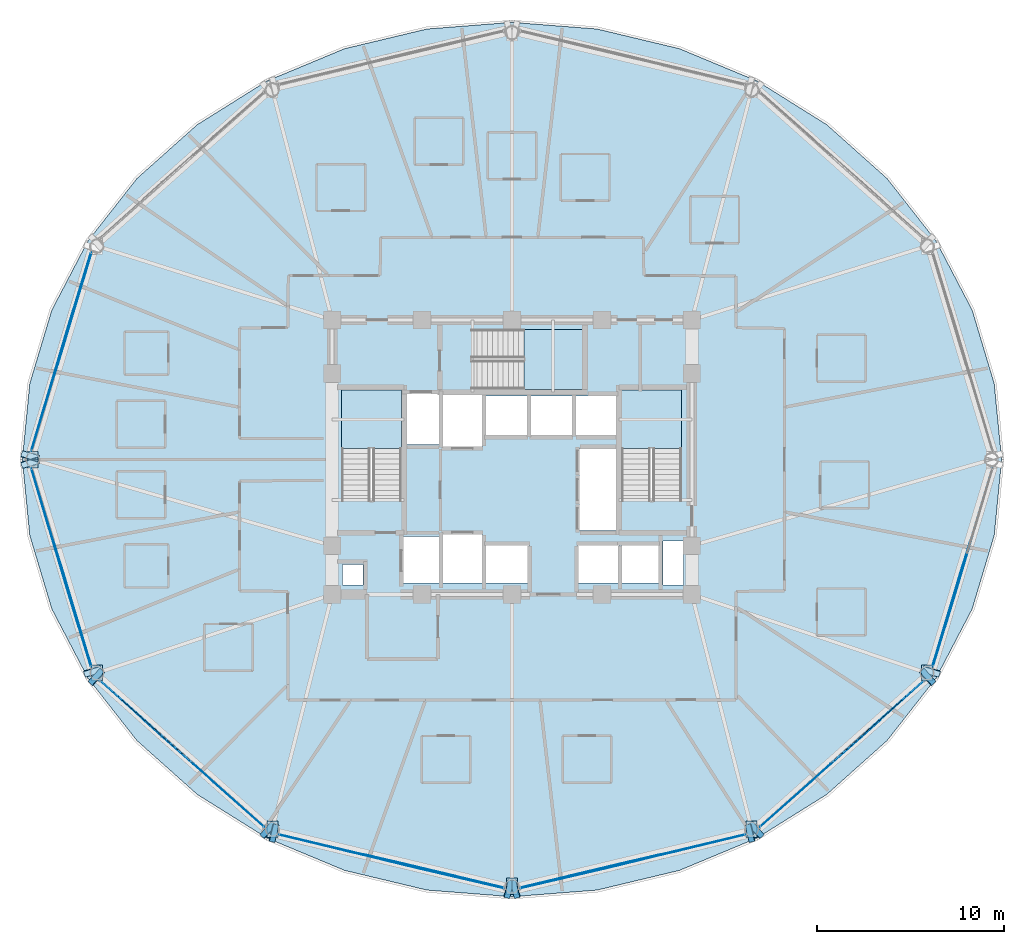
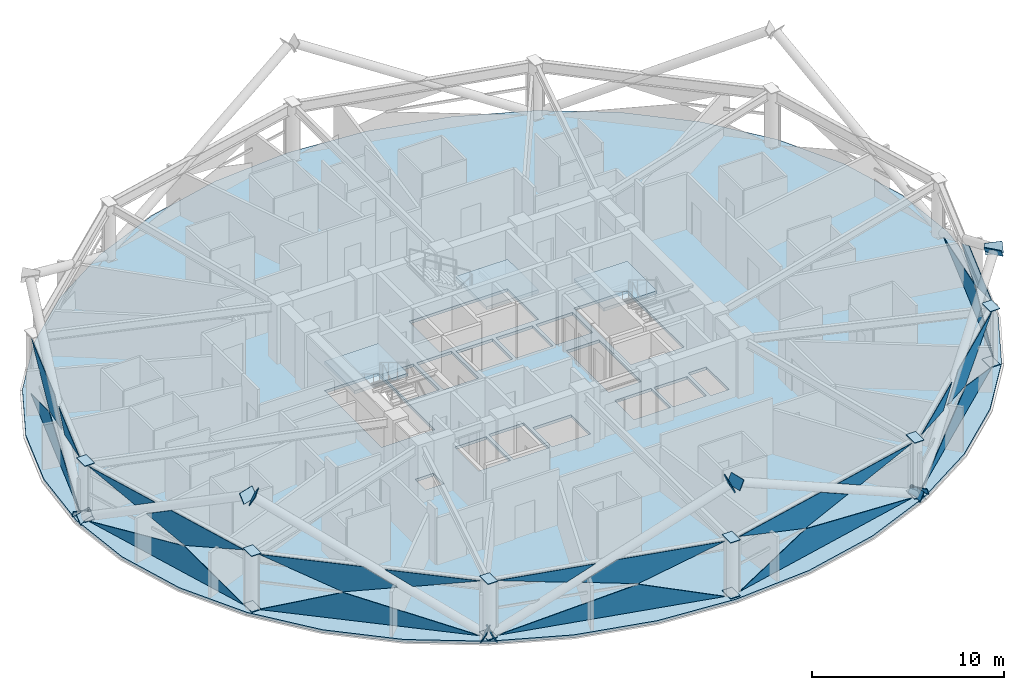
# One storey, part 22 of 32: 44 plates, 4 slabs, 10 elements without a shape of their own.
"""IFC4 building model written with IfcOpenShell, lengths in metres."""

from ifc_helpers import new_model, si_unit, direction, frame, origin, place, context, subcontext, project, spatial, polyline, outline, extrude, material, layer, layer_set, type_object, element, aggregate, save


model = new_model("IFC4")

# Units and contexts
model_context = context("Model", 3, precision=1e-05, world=origin(), true_north=direction((0.0, 1.0)))
body_context = subcontext(model_context, "Body", "Model", "MODEL_VIEW")
ifc_project = project(units=[si_unit("LENGTHUNIT", "METRE"), si_unit("AREAUNIT", "SQUARE_METRE"), si_unit("VOLUMEUNIT", "CUBIC_METRE"), si_unit("PLANEANGLEUNIT", "RADIAN"), si_unit("MASSUNIT", "GRAM", prefix="KILO")], contexts=[model_context])

# Site, building, storey
site_placement = place(None, origin())
site = spatial("IfcSite", under=ifc_project, at=site_placement, CompositionType="ELEMENT")
building_placement = place(site_placement, origin())
building = spatial("IfcBuilding", under=site, at=building_placement, Name="Vantalir Tower", CompositionType="ELEMENT")
storey_placement = place(building_placement, frame((0.0, 0.0, 104.699951171875)))
storey = spatial("IfcBuildingStorey", under=building, at=storey_placement, Name="L25", CompositionType="ELEMENT", Elevation=104.699951171875)

# Curtain wall, plates
ifc_material_1 = material(Name="Champagne-silver PVDF aluminium and double-silver Low-E glass", Category="aluminium")
ifc_layer_1 = layer(ifc_material_1, 0.199951171875)
ifc_layer_set_1 = layer_set([ifc_layer_1], Name="Champagne-silver PVDF aluminium and double-silver Low-E glass")
curtain_wall_type = type_object("IfcCurtainWallType", Name="CW-DIAMOND-Z2", PredefinedType="USERDEFINED", material=ifc_layer_set_1)
curtain_wall_1_placement = place(storey_placement, origin())
curtain_wall_1 = element("IfcCurtainWall", 1, at=curtain_wall_1_placement, inside=storey, type_object=curtain_wall_type, Name="L25 Quilted Pyramid-Diamond Curtain Wall S06", ObjectType="UNITISED CURTAIN WALL", PredefinedType="USERDEFINED")
ifc_material_2 = material(Name="Double-silver Low-E laminated glass IGU", Category="glass")
ifc_layer_2 = layer(ifc_material_2, 0.028076171875)
ifc_layer_set_2 = layer_set([ifc_layer_2], Name="Double-silver Low-E laminated glass IGU")
plate_type_1 = type_object("IfcPlateType", Name="CWP-IGU-28", PredefinedType="CURTAIN_PANEL", material=ifc_layer_set_2)
plate_1_placement = place(storey_placement, frame((9.044921875, 36.053466796875, 0.046630859375), z_axis=(0.957572069802, -0.287866428503, 0.013735009114), x_axis=(-0.287893295674, -0.957662492646, -2.2020292e-05)))
plate_1 = element("IfcPlate", 2, at=plate_1_placement, type_object=plate_type_1, Name="CW-L25-S06 Pyramid Diamond Facet 1L", PredefinedType="CURTAIN_PANEL", context=body_context, shape_type="SweptSolid", body=[
    extrude(outline(polyline([(0.0, 0.0), (11.087074896201033, -7.508100044462118e-18), (4.218854867181991, -1.7268182910625938), (0.0, 0.0)])), origin(), (0.0, 0.0, -1.0), 0.028076171875),
])
plate_2_placement = place(storey_placement, frame((9.044921875, 36.053466796875, 3.5234375), z_axis=(-0.957575443257, 0.287853566975, 0.013769330091), x_axis=(-0.287880858464, -0.957666231696, 8.465e-09)))
plate_2 = element("IfcPlate", 3, at=plate_2_placement, type_object=plate_type_1, Name="CW-L25-S06 Pyramid Diamond Facet 2U", PredefinedType="CURTAIN_PANEL", context=body_context, shape_type="SweptSolid", body=[
    extrude(outline(polyline([(0.0, 0.0), (5.216435935880668, 3.469446951953614e-18), (6.956573188140078, -1.0384285818292187), (4.218892564617168, -1.726726188166843), (0.0, 0.0)])), origin(), (0.0, 0.0, -1.0), 0.028076171875),
])
plate_3_placement = place(storey_placement, frame((7.1923828125, 30.001953125, 3.52392578125), z_axis=(-0.957562591096, 0.287894635232, 0.013804460789), x_axis=(-0.287922070205, -0.957653842204, 0.0)))
plate_3 = element("IfcPlate", 4, at=plate_3_placement, type_object=plate_type_1, Name="CW-L25-S06 Pyramid Diamond Facet 2U Infill Light", PredefinedType="CURTAIN_PANEL", context=body_context, shape_type="SweptSolid", body=[
    extrude(outline(polyline([(0.0, 0.0), (4.758638983539541, 3.469446951953614e-18), (1.4104859309342017, -0.8416329303017664), (0.0, 0.0)])), origin(), (0.0, 0.0, -1.0), 0.028076171875),
])
aggregate(curtain_wall_1, [plate_1, plate_2, plate_3])

curtain_wall_2_placement = place(storey_placement, origin())
curtain_wall_2 = element("IfcCurtainWall", 5, at=curtain_wall_2_placement, inside=storey, type_object=curtain_wall_type, Name="L25 Quilted Pyramid-Diamond Curtain Wall S07", ObjectType="UNITISED CURTAIN WALL", PredefinedType="USERDEFINED")
plate_4_placement = place(storey_placement, frame((5.85302734375, 24.564208984375, 0.04638671875), z_axis=(0.957572069802, 0.287866428503, 0.013735009114), x_axis=(0.287893295674, -0.957662492646, 2.2020292e-05)))
plate_4 = element("IfcPlate", 6, at=plate_4_placement, type_object=plate_type_1, Name="CW-L25-S07 Pyramid Diamond Facet 1L", PredefinedType="CURTAIN_PANEL", context=body_context, shape_type="SweptSolid", body=[
    extrude(outline(polyline([(0.0, 0.0), (11.087074896201033, 7.508100044462118e-18), (6.8682200290190405, -1.7268182910625938), (0.0, 0.0)])), origin(), (0.0, 0.0, -1.0), 0.028076171875),
])
plate_5_placement = place(storey_placement, frame((7.543212890625, 18.942138671875, 3.5234375), z_axis=(-0.957575443257, -0.287853566975, 0.013769330091), x_axis=(0.287880858464, -0.957666231696, -8.465e-09)))
plate_5 = element("IfcPlate", 7, at=plate_5_placement, type_object=plate_type_1, Name="CW-L25-S07 Pyramid Diamond Facet 2U", PredefinedType="CURTAIN_PANEL", context=body_context, shape_type="SweptSolid", body=[
    extrude(outline(polyline([(0.0, 0.0), (5.216435935880668, -3.469446951953614e-18), (0.9975433712634988, -1.726726188166843), (-1.7401372522594103, -1.0384285818292187), (0.0, 0.0)])), origin(), (0.0, 0.0, -1.0), 0.028076171875),
])
plate_6_placement = place(storey_placement, frame((5.822265625, 24.55517578125, 3.52392578125), z_axis=(-0.957562591096, -0.287894635232, 0.013804460789), x_axis=(0.287922070205, -0.957653842204, 0.0)))
plate_6 = element("IfcPlate", 8, at=plate_6_placement, type_object=plate_type_1, Name="CW-L25-S07 Pyramid Diamond Facet 2U Infill Light", PredefinedType="CURTAIN_PANEL", context=body_context, shape_type="SweptSolid", body=[
    extrude(outline(polyline([(0.0, 0.0), (4.758638983539541, -3.469446951953614e-18), (3.3481530526053396, -0.8416329303017664), (0.0, 0.0)])), origin(), (0.0, 0.0, -1.0), 0.028076171875),
])
aggregate(curtain_wall_2, [plate_4, plate_5, plate_6])

curtain_wall_3_placement = place(storey_placement, origin())
curtain_wall_3 = element("IfcCurtainWall", 9, at=curtain_wall_3_placement, inside=storey, type_object=curtain_wall_type, Name="L25 Quilted Pyramid-Diamond Curtain Wall S08", ObjectType="UNITISED CURTAIN WALL", PredefinedType="USERDEFINED")
plate_7_placement = place(storey_placement, frame((9.515625, 13.208251953125, 0.046630859375), z_axis=(0.665369240134, 0.746388562163, 0.013707244681), x_axis=(0.746458880682, -0.66543154345, -2.0813598e-05)))
plate_7 = element("IfcPlate", 10, at=plate_7_placement, type_object=plate_type_1, Name="CW-L25-S08 Pyramid Diamond Facet 1L", PredefinedType="CURTAIN_PANEL", context=body_context, shape_type="SweptSolid", body=[
    extrude(outline(polyline([(0.0, 0.0), (11.729861619438788, -1.7943545954635098e-17), (4.4590135223658, -1.7270617043016523), (0.0, 0.0)])), origin(), (0.0, 0.0, -1.0), 0.028076171875),
])
plate_8_placement = place(storey_placement, frame((9.515625, 13.208251953125, 3.5234375), z_axis=(-0.665380784811, -0.746379043295, 0.01366509913), x_axis=(0.746449141389, -0.665442467363, 4.4153414e-05)))
plate_8 = element("IfcPlate", 11, at=plate_8_placement, type_object=plate_type_1, Name="CW-L25-S08 Pyramid Diamond Facet 2U", PredefinedType="CURTAIN_PANEL", context=body_context, shape_type="SweptSolid", body=[
    extrude(outline(polyline([(0.0, 0.0), (5.527477233134237, 8.944667923005412e-18), (7.359887983364958, -1.0382637066495168), (4.45897356161791, -1.7271648733868552), (0.0, 0.0)])), origin(), (0.0, 0.0, -1.0), 0.028076171875),
])
plate_9_placement = place(storey_placement, frame((14.483642578125, 8.736572265625, 3.52392578125), z_axis=(-0.665386052483, -0.746375118793, 0.013622892792), x_axis=(0.746444823577, -0.665447310472, 4.8385611e-05)))
plate_9 = element("IfcPlate", 12, at=plate_9_placement, type_object=plate_type_1, Name="CW-L25-S08 Pyramid Diamond Facet 2U Infill Light", PredefinedType="CURTAIN_PANEL", context=body_context, shape_type="SweptSolid", body=[
    extrude(outline(polyline([(0.0, 0.0), (5.0457278326719734, -8.890457814381136e-18), (1.4905383379831172, -0.8443887586698617), (0.0, 0.0)])), origin(), (0.0, 0.0, -1.0), 0.028076171875),
])
aggregate(curtain_wall_3, [plate_7, plate_8, plate_9])

curtain_wall_4_placement = place(storey_placement, origin())
curtain_wall_4 = element("IfcCurtainWall", 13, at=curtain_wall_4_placement, inside=storey, type_object=curtain_wall_type, Name="L25 Quilted Pyramid-Diamond Curtain Wall S09", ObjectType="UNITISED CURTAIN WALL", PredefinedType="USERDEFINED")
plate_10_placement = place(storey_placement, frame((19.053466796875, 4.994384765625, 0.04638671875), z_axis=(0.232255201791, 0.97255746743, 0.013765674256), x_axis=(0.972649563879, -0.23227747522, 1.9781764e-05)))
plate_10 = element("IfcPlate", 14, at=plate_10_placement, type_object=plate_type_1, Name="CW-L25-S09 Pyramid Diamond Facet 1L", PredefinedType="CURTAIN_PANEL", context=body_context, shape_type="SweptSolid", body=[
    extrude(outline(polyline([(0.0, 0.0), (12.341701303755851, 1.2197274440461925e-18), (7.6458252188057445, -1.7273073390602611), (0.0, 0.0)])), origin(), (0.0, 0.0, -1.0), 0.028076171875),
])
plate_11_placement = place(storey_placement, frame((25.392578125, 3.48046875, 3.523681640625), z_axis=(-0.2322275837, -0.972564443903, 0.013738698034), x_axis=(0.972656108273, -0.232250066232, -4.2123044e-05)))
plate_11 = element("IfcPlate", 15, at=plate_11_placement, type_object=plate_type_1, Name="CW-L25-S09 Pyramid Diamond Facet 2U", PredefinedType="CURTAIN_PANEL", context=body_context, shape_type="SweptSolid", body=[
    extrude(outline(polyline([(0.0, 0.0), (5.824318846553339, -1.5449880957918438e-18), (1.1284806812019208, -1.727410421993151), (-1.921730495743809, -1.038266076908136), (0.0, 0.0)])), origin(), (0.0, 0.0, -1.0), 0.028076171875),
])
plate_12_placement = place(storey_placement, frame((19.046142578125, 4.963134765625, 3.524169921875), z_axis=(-0.232272822853, -0.972553524814, 0.013746895471), x_axis=(0.97264543303, -0.232294773091, 0.0)))
plate_12 = element("IfcPlate", 16, at=plate_12_placement, type_object=plate_type_1, Name="CW-L25-S09 Pyramid Diamond Facet 2U Infill Light", PredefinedType="CURTAIN_PANEL", context=body_context, shape_type="SweptSolid", body=[
    extrude(outline(polyline([(0.0, 0.0), (5.3190852582904204, 0.0), (3.7505650794186045, -0.8474921914817816), (0.0, 0.0)])), origin(), (0.0, 0.0, -1.0), 0.028076171875),
])
aggregate(curtain_wall_4, [plate_10, plate_11, plate_12])

curtain_wall_5_placement = place(storey_placement, origin())
curtain_wall_5 = element("IfcCurtainWall", 17, at=curtain_wall_5_placement, inside=storey, type_object=curtain_wall_type, Name="L25 Quilted Pyramid-Diamond Curtain Wall S10", ObjectType="UNITISED CURTAIN WALL", PredefinedType="USERDEFINED")
plate_13_placement = place(storey_placement, frame((31.9423828125, 2.127685546875, 0.046630859375), z_axis=(-0.232255201791, 0.97255746743, 0.013765674256), x_axis=(0.972649563879, 0.23227747522, -1.9781764e-05)))
plate_13 = element("IfcPlate", 18, at=plate_13_placement, type_object=plate_type_1, Name="CW-L25-S10 Pyramid Diamond Facet 1L", PredefinedType="CURTAIN_PANEL", context=body_context, shape_type="SweptSolid", body=[
    extrude(outline(polyline([(0.0, 0.0), (12.341701303755851, -1.2197274440461925e-18), (4.695876084950106, -1.7273073390602613), (0.0, 0.0)])), origin(), (0.0, 0.0, -1.0), 0.028076171875),
])
plate_14_placement = place(storey_placement, frame((31.9423828125, 2.127685546875, 3.5234375), z_axis=(0.2322275837, -0.972564443903, 0.013738698034), x_axis=(0.972656108273, 0.232250066232, 4.2123044e-05)))
plate_14 = element("IfcPlate", 19, at=plate_14_placement, type_object=plate_type_1, Name="CW-L25-S10 Pyramid Diamond Facet 2U", PredefinedType="CURTAIN_PANEL", context=body_context, shape_type="SweptSolid", body=[
    extrude(outline(polyline([(0.0, 0.0), (5.824318846553339, 1.5449880957918438e-18), (7.746049342297147, -1.038266076908136), (4.695838165351418, -1.727410421993151), (0.0, 0.0)])), origin(), (0.0, 0.0, -1.0), 0.028076171875),
])
plate_15_placement = place(storey_placement, frame((38.7802734375, 3.7275390625, 3.524169921875), z_axis=(0.232272822853, -0.972553524814, 0.013746895471), x_axis=(0.97264543303, 0.232294773091, 0.0)))
plate_15 = element("IfcPlate", 20, at=plate_15_placement, type_object=plate_type_1, Name="CW-L25-S10 Pyramid Diamond Facet 2U Infill Light", PredefinedType="CURTAIN_PANEL", context=body_context, shape_type="SweptSolid", body=[
    extrude(outline(polyline([(0.0, 0.0), (5.3190852582904204, 0.0), (1.568520178871816, -0.8474921914817816), (0.0, 0.0)])), origin(), (0.0, 0.0, -1.0), 0.028076171875),
])
aggregate(curtain_wall_5, [plate_13, plate_14, plate_15])

curtain_wall_6_placement = place(storey_placement, origin())
curtain_wall_6 = element("IfcCurtainWall", 21, at=curtain_wall_6_placement, inside=storey, type_object=curtain_wall_type, Name="L25 Quilted Pyramid-Diamond Curtain Wall S11", ObjectType="UNITISED CURTAIN WALL", PredefinedType="USERDEFINED")
plate_16_placement = place(storey_placement, frame((44.728515625, 5.40283203125, 0.04638671875), z_axis=(-0.665369240134, 0.746388562163, 0.013707244681), x_axis=(0.746458880682, 0.66543154345, 2.0813598e-05)))
plate_16 = element("IfcPlate", 22, at=plate_16_placement, type_object=plate_type_1, Name="CW-L25-S11 Pyramid Diamond Facet 1L", PredefinedType="CURTAIN_PANEL", context=body_context, shape_type="SweptSolid", body=[
    extrude(outline(polyline([(0.0, 0.0), (11.729861619438788, 1.7943545954635098e-17), (7.27084809707299, -1.727061704301652), (0.0, 0.0)])), origin(), (0.0, 0.0, -1.0), 0.028076171875),
])
plate_17_placement = place(storey_placement, frame((49.3583984375, 9.530029296875, 3.523681640625), z_axis=(0.665380784811, -0.746379043295, 0.01366509913), x_axis=(0.746449141389, 0.665442467363, -4.4153414e-05)))
plate_17 = element("IfcPlate", 23, at=plate_17_placement, type_object=plate_type_1, Name="CW-L25-S11 Pyramid Diamond Facet 2U", PredefinedType="CURTAIN_PANEL", context=body_context, shape_type="SweptSolid", body=[
    extrude(outline(polyline([(0.0, 0.0), (5.527477233134237, -8.944667923005412e-18), (1.0685036715163276, -1.7271648733868554), (-1.8324107502307216, -1.038263706649517), (0.0, 0.0)])), origin(), (0.0, 0.0, -1.0), 0.028076171875),
])
plate_18_placement = place(storey_placement, frame((44.75, 5.37890625, 3.524169921875), z_axis=(0.665386052483, -0.746375118793, 0.013622892792), x_axis=(0.746444823577, 0.665447310472, -4.8385611e-05)))
plate_18 = element("IfcPlate", 24, at=plate_18_placement, type_object=plate_type_1, Name="CW-L25-S11 Pyramid Diamond Facet 2U Infill Light", PredefinedType="CURTAIN_PANEL", context=body_context, shape_type="SweptSolid", body=[
    extrude(outline(polyline([(0.0, 0.0), (5.0457278326719734, 8.890457814381136e-18), (3.5551894946888556, -0.8443887586698618), (0.0, 0.0)])), origin(), (0.0, 0.0, -1.0), 0.028076171875),
])
aggregate(curtain_wall_6, [plate_16, plate_17, plate_18])

curtain_wall_7_placement = place(storey_placement, origin())
curtain_wall_7 = element("IfcCurtainWall", 25, at=curtain_wall_7_placement, inside=storey, type_object=curtain_wall_type, Name="L25 Quilted Pyramid-Diamond Curtain Wall S12", ObjectType="UNITISED CURTAIN WALL", PredefinedType="USERDEFINED")
plate_19_placement = place(storey_placement, frame((53.955078125, 13.946533203125, 0.046630859375), z_axis=(-0.957572069802, 0.287866428503, 0.013735009114), x_axis=(0.287893295674, 0.957662492646, -2.2020292e-05)))
plate_19 = element("IfcPlate", 26, at=plate_19_placement, type_object=plate_type_1, Name="CW-L25-S12 Pyramid Diamond Facet 1L", PredefinedType="CURTAIN_PANEL", context=body_context, shape_type="SweptSolid", body=[
    extrude(outline(polyline([(0.0, 0.0), (11.087074896201033, -7.508100044462118e-18), (4.218854867181991, -1.7268182910625938), (0.0, 0.0)])), origin(), (0.0, 0.0, -1.0), 0.028076171875),
])
plate_20_placement = place(storey_placement, frame((53.955078125, 13.946533203125, 3.5234375), z_axis=(0.957575443257, -0.287853566975, 0.013769330091), x_axis=(0.287880858464, 0.957666231696, 8.465e-09)))
plate_20 = element("IfcPlate", 27, at=plate_20_placement, type_object=plate_type_1, Name="CW-L25-S12 Pyramid Diamond Facet 2U", PredefinedType="CURTAIN_PANEL", context=body_context, shape_type="SweptSolid", body=[
    extrude(outline(polyline([(0.0, 0.0), (5.216435935880668, 3.469446951953614e-18), (6.956573188140078, -1.0384285818292187), (4.218892564617168, -1.726726188166843), (0.0, 0.0)])), origin(), (0.0, 0.0, -1.0), 0.028076171875),
])
aggregate(curtain_wall_7, [plate_19, plate_20])

# Plates
ifc_material_3 = material(Name="Steel S460", Category="steel")
ifc_layer_3 = layer(ifc_material_3, 0.0400390625)
ifc_layer_set_3 = layer_set([ifc_layer_3], Name="Steel S460")
plate_type_2 = type_object("IfcPlateType", Name="PLT-KN-Z1", PredefinedType="USERDEFINED", material=ifc_layer_set_3)
plate_21_placement = place(storey_placement, frame((53.369873046875, 13.650146484375, 6.87744140625), z_axis=(-0.247289805387, -0.822313087792, 0.512492866095), x_axis=(0.957644388178, -0.287953508154, 5.4158709e-05)))
element("IfcPlate", 28, at=plate_21_placement, inside=storey, type_object=plate_type_2, Name="Node Cap Plate MEM-DG-L25-R01R End", ObjectType="FLANGE_PLATE", PredefinedType="USERDEFINED", context=body_context, shape_type="SweptSolid", body=[
    extrude(outline(polyline([(0.0, 0.0), (0.949875712764493, 0.0), (0.9499842807699942, 0.6200355600148448), (3.8266856049696694e-05, 0.6201553840651606), (0.0, 0.0)])), origin(), (0.0, 0.0, -1.0), 0.0400390625),
])
plate_22_placement = place(storey_placement, frame((5.369140625, 24.523681640625, -0.0693359375), z_axis=(0.247189242662, -0.822455993553, 0.512312030877), x_axis=(0.957683956664, 0.287821887429, -1.6270485e-05)))
element("IfcPlate", 29, at=plate_22_placement, inside=storey, type_object=plate_type_2, Name="Node Cap Plate MEM-DG-L25-R19L Start", ObjectType="FLANGE_PLATE", PredefinedType="USERDEFINED", context=body_context, shape_type="SweptSolid", body=[
    extrude(outline(polyline([(0.0, 0.0), (0.9501095264668244, 0.0), (0.949977471305542, 0.62003556284863), (0.00010175439844990708, 0.6199995664536296), (0.0, 0.0)])), origin(), (0.0, 0.0, -1.0), 0.0400390625),
])
plate_23_placement = place(storey_placement, frame((8.720458984375, 13.376708984375, 6.87744140625), z_axis=(0.247289805387, -0.822313087792, 0.512492866095), x_axis=(0.957644388178, 0.287953508154, -5.4158709e-05)))
element("IfcPlate", 30, at=plate_23_placement, inside=storey, type_object=plate_type_2, Name="Node Cap Plate MEM-DG-L25-R19L End", ObjectType="FLANGE_PLATE", PredefinedType="USERDEFINED", context=body_context, shape_type="SweptSolid", body=[
    extrude(outline(polyline([(0.0, 0.0), (0.949875712764493, 0.0), (0.9498374459084433, 0.6201553840651606), (-0.0001085680055012954, 0.6200355600148448), (0.0, 0.0)])), origin(), (0.0, 0.0, -1.0), 0.0400390625),
])
plate_24_placement = place(storey_placement, frame((6.279052734375, 25.202880859375, -0.0693359375), z_axis=(0.247189242662, 0.822455993553, 0.512312030877), x_axis=(-0.957683956664, 0.287821887429, 1.6270485e-05)))
element("IfcPlate", 31, at=plate_24_placement, inside=storey, type_object=plate_type_2, Name="Node Cap Plate MEM-DG-L25-R19R Start", ObjectType="FLANGE_PLATE", PredefinedType="USERDEFINED", context=body_context, shape_type="SweptSolid", body=[
    extrude(outline(polyline([(0.0, 0.0), (0.9501095264668244, 0.0), (0.9500077720683746, 0.6199995664536296), (0.00013205516128256313, 0.62003556284863), (0.0, 0.0)])), origin(), (0.0, 0.0, -1.0), 0.0400390625),
])
plate_25_placement = place(storey_placement, frame((18.839111328125, 4.55712890625, -0.084228515625), z_axis=(0.855718354814, -0.204404648633, 0.475357588403), x_axis=(0.232326183923, 0.972637930634, 1.2484436e-05)))
element("IfcPlate", 32, at=plate_25_placement, inside=storey, type_object=plate_type_2, Name="Node Cap Plate MEM-DG-L25-R25L Start", ObjectType="FLANGE_PLATE", PredefinedType="USERDEFINED", context=body_context, shape_type="SweptSolid", body=[
    extrude(outline(polyline([(0.0, 0.0), (0.9500628510048675, 1.3877787807814457e-17), (0.9499689962394693, 0.6199168368758669), (0.0001436056668853597, 0.6199437966735601), (0.0, 0.0)])), origin(), (0.0, 0.0, -1.0), 0.0400390625),
])
plate_26_placement = place(storey_placement, frame((31.3720703125, 1.564208984375, 6.8779296875), z_axis=(0.855743063416, -0.204383548039, 0.475322179902), x_axis=(0.232303709897, 0.972643298629, 0.0)))
element("IfcPlate", 33, at=plate_26_placement, inside=storey, type_object=plate_type_2, Name="Node Cap Plate MEM-DG-L25-R25L End", ObjectType="FLANGE_PLATE", PredefinedType="USERDEFINED", context=body_context, shape_type="SweptSolid", body=[
    extrude(outline(polyline([(0.0, 0.0), (0.9500628513325243, 0.0), (0.9499689959118446, 0.6199168373779231), (-9.385542067971708e-05, 0.6199168373779231), (0.0, 0.0)])), origin(), (0.0, 0.0, -1.0), 0.0400390625),
])
plate_27_placement = place(storey_placement, frame((18.6650390625, 5.688232421875, -0.077392578125), z_axis=(-0.649504929742, 0.579064560361, 0.492775386129), x_axis=(-0.665473588203, -0.746421397994, -4.459391e-06)))
element("IfcPlate", 34, at=plate_27_placement, inside=storey, type_object=plate_type_2, Name="Node Cap Plate MEM-DG-L25-R25R Start", ObjectType="FLANGE_PLATE", PredefinedType="USERDEFINED", context=body_context, shape_type="SweptSolid", body=[
    extrude(outline(polyline([(0.0, 0.0), (0.950178406889728, 2.7755575615628914e-17), (0.949884203497994, 0.6200666053914518), (5.049753263072288e-05, 0.6200568681820877), (0.0, 0.0)])), origin(), (0.0, 0.0, -1.0), 0.0400390625),
])
plate_28_placement = place(storey_placement, frame((9.500244140625, 13.8583984375, 6.877685546875), z_axis=(-0.649512501575, 0.57897164297, 0.492874575256), x_axis=(-0.66542527063, -0.746464471704, -4.1127171e-05)))
element("IfcPlate", 35, at=plate_28_placement, inside=storey, type_object=plate_type_2, Name="Node Cap Plate MEM-DG-L25-R25R End", ObjectType="FLANGE_PLATE", PredefinedType="USERDEFINED", context=body_context, shape_type="SweptSolid", body=[
    extrude(outline(polyline([(0.0, 0.0), (0.9501784036206771, 0.0), (0.9500664372739172, 0.6201466799572815), (5.049099470247789e-05, 0.6200568631731093), (0.0, 0.0)])), origin(), (0.0, 0.0, -1.0), 0.0400390625),
])
plate_29_placement = place(storey_placement, frame((44.96728515625, 4.97900390625, -0.077392578125), z_axis=(0.649504929742, 0.579064560361, 0.492775386129), x_axis=(-0.665473588203, 0.746421397994, 4.459391e-06)))
element("IfcPlate", 36, at=plate_29_placement, inside=storey, type_object=plate_type_2, Name="Node Cap Plate MEM-DG-L25-R31L Start", ObjectType="FLANGE_PLATE", PredefinedType="USERDEFINED", context=body_context, shape_type="SweptSolid", body=[
    extrude(outline(polyline([(0.0, 0.0), (0.950178406889728, -2.7755575615628914e-17), (0.9501279093570972, 0.6200568681820877), (0.00029420339173397635, 0.6200666053914516), (0.0, 0.0)])), origin(), (0.0, 0.0, -1.0), 0.0400390625),
])
plate_30_placement = place(storey_placement, frame((54.132080078125, 13.149169921875, 6.877685546875), z_axis=(0.649512501575, 0.57897164297, 0.492874575256), x_axis=(-0.66542527063, 0.746464471704, 4.1127171e-05)))
element("IfcPlate", 37, at=plate_30_placement, inside=storey, type_object=plate_type_2, Name="Node Cap Plate MEM-DG-L25-R31L End", ObjectType="FLANGE_PLATE", PredefinedType="USERDEFINED", context=body_context, shape_type="SweptSolid", body=[
    extrude(outline(polyline([(0.0, 0.0), (0.9501784036206771, 0.0), (0.9501279126259745, 0.6200568631731093), (0.00011196634675985747, 0.6201466799572815), (0.0, 0.0)])), origin(), (0.0, 0.0, -1.0), 0.0400390625),
])
plate_31_placement = place(storey_placement, frame((43.940185546875, 5.481201171875, -0.084228515625), z_axis=(-0.855718354814, -0.204404648633, 0.475357588403), x_axis=(0.232326183923, -0.972637930634, -1.2484436e-05)))
element("IfcPlate", 38, at=plate_31_placement, inside=storey, type_object=plate_type_2, Name="Node Cap Plate MEM-DG-L25-R31R Start", ObjectType="FLANGE_PLATE", PredefinedType="USERDEFINED", context=body_context, shape_type="SweptSolid", body=[
    extrude(outline(polyline([(0.0, 0.0), (0.9500628510048675, -1.3877787807814457e-17), (0.9499192453379821, 0.6199437966735601), (9.385476539828852e-05, 0.6199168368758669), (0.0, 0.0)])), origin(), (0.0, 0.0, -1.0), 0.0400390625),
])
plate_32_placement = place(storey_placement, frame((31.4072265625, 2.48828125, 6.8779296875), z_axis=(-0.855743063416, -0.204383548039, 0.475322179902), x_axis=(0.232303709897, -0.972643298629, 0.0)))
element("IfcPlate", 39, at=plate_32_placement, inside=storey, type_object=plate_type_2, Name="Node Cap Plate MEM-DG-L25-R31R End", ObjectType="FLANGE_PLATE", PredefinedType="USERDEFINED", context=body_context, shape_type="SweptSolid", body=[
    extrude(outline(polyline([(0.0, 0.0), (0.9500628513325243, 0.0), (0.950156706753204, 0.6199168373779231), (9.385542067971708e-05, 0.6199168373779231), (0.0, 0.0)])), origin(), (0.0, 0.0, -1.0), 0.0400390625),
])
ifc_layer_4 = layer(ifc_material_3, 0.035888671875)
ifc_layer_set_4 = layer_set([ifc_layer_4], Name="Steel S460")
plate_type_3 = type_object("IfcPlateType", Name="PLT-KN-Z2", PredefinedType="USERDEFINED", material=ifc_layer_set_4)
for number, where, z_axis, x_axis, name in (
    (40, (5.6220703125, 25.43994140625, 3.59814453125), (0.0, 0.0, 1.0), (0.0, -1.0, 0.0), "L25 Ring Column Top Cap RC07"),
    (41, (5.6220703125, 25.43994140625, 0.052978515625), (0.0, 0.0, 1.0), (0.0, -1.0, 0.0), "L25 Ring Column Base Cap RC07"),
    (42, (9.050048828125, 14.0458984375, 3.59814453125), (0.0, 0.0, 1.0), (0.0, -1.0, 0.0), "L25 Ring Column Top Cap RC08"),
    (43, (9.050048828125, 14.0458984375, 0.052978515625), (0.0, 0.0, 1.0), (0.0, -1.0, 0.0), "L25 Ring Column Base Cap RC08"),
):
    element("IfcPlate", number, at=place(storey_placement, frame(where, z_axis=z_axis, x_axis=x_axis)), inside=storey, type_object=plate_type_3, Name=name, ObjectType="FLANGE_PLATE", PredefinedType="USERDEFINED", context=body_context, shape_type="SweptSolid", body=[
        extrude(outline(polyline([(0.0, 0.0), (0.8798828125, 0.0), (0.8798828125, 0.579833984375), (0.0, 0.579833984375), (0.0, 0.0)])), origin(), (0.0, 0.0, -1.0), 0.035888671875),
    ])
for number, where, z_axis, x_axis, name in (
    (44, (18.416015625, 5.705078125, 3.59814453125), (0.0, 0.0, 1.0), (0.0, -1.0, 0.0), "L25 Ring Column Top Cap RC09"),
    (45, (18.416015625, 5.705078125, 0.052978515625), (0.0, 0.0, 1.0), (0.0, -1.0, 0.0), "L25 Ring Column Base Cap RC09"),
    (46, (31.2099609375, 2.652099609375, 3.59814453125), (0.0, 0.0, 1.0), (0.0, -1.0, 0.0), "L25 Ring Column Top Cap RC10"),
    (47, (31.2099609375, 2.652099609375, 0.052978515625), (0.0, 0.0, 1.0), (0.0, -1.0, 0.0), "L25 Ring Column Base Cap RC10"),
    (48, (44.00390625, 5.705078125, 3.59814453125), (0.0, 0.0, 1.0), (0.0, -1.0, 0.0), "L25 Ring Column Top Cap RC11"),
    (49, (44.00390625, 5.705078125, 0.052978515625), (0.0, 0.0, 1.0), (0.0, -1.0, 0.0), "L25 Ring Column Base Cap RC11"),
):
    element("IfcPlate", number, at=place(storey_placement, frame(where, z_axis=z_axis, x_axis=x_axis)), inside=storey, type_object=plate_type_3, Name=name, ObjectType="FLANGE_PLATE", PredefinedType="USERDEFINED", context=body_context, shape_type="SweptSolid", body=[
        extrude(outline(polyline([(0.0, 0.0), (0.880126953125, 0.0), (0.880126953125, 0.580078125), (0.0, 0.580078125), (0.0, 0.0)])), origin(), (0.0, 0.0, -1.0), 0.035888671875),
    ])
for number, where, z_axis, x_axis, name in (
    (50, (53.3701171875, 14.0458984375, 3.59814453125), (0.0, 0.0, 1.0), (0.0, -1.0, 0.0), "L25 Ring Column Top Cap RC12"),
    (51, (53.3701171875, 14.0458984375, 0.052978515625), (0.0, 0.0, 1.0), (0.0, -1.0, 0.0), "L25 Ring Column Base Cap RC12"),
):
    element("IfcPlate", number, at=place(storey_placement, frame(where, z_axis=z_axis, x_axis=x_axis)), inside=storey, type_object=plate_type_3, Name=name, ObjectType="FLANGE_PLATE", PredefinedType="USERDEFINED", context=body_context, shape_type="SweptSolid", body=[
        extrude(outline(polyline([(0.0, 0.0), (0.8798828125, 0.0), (0.8798828125, 0.579833984375), (0.0, 0.579833984375), (0.0, 0.0)])), origin(), (0.0, 0.0, -1.0), 0.035888671875),
    ])

# Stair, slab
ifc_material_4 = material(Name="Concrete C40/50", Category="concrete")
stair_type = type_object("IfcStairType", Name="STR-CORE-1450", PredefinedType="HALF_TURN_STAIR", material=ifc_material_4)
stair_1_placement = place(storey_placement, origin())
stair_1 = element("IfcStair", 52, at=stair_1_placement, inside=storey, type_object=stair_type, Name="L25 Core Exit Stair 1", PredefinedType="HALF_TURN_STAIR")
ifc_layer_5 = layer(ifc_material_4, 0.199951171875)
ifc_layer_set_5 = layer_set([ifc_layer_5], Name="Concrete C40/50")
slab_type_1 = type_object("IfcSlabType", Name="SL-LAND-200", PredefinedType="LANDING", material=ifc_layer_set_5)
slab_1_placement = place(storey_placement, frame((0.0, 0.0, 1.675048828125)))
slab_1 = element("IfcSlab", 53, at=slab_1_placement, type_object=slab_type_1, Name="ST1 landing 1", PredefinedType="LANDING", context=body_context, shape_type="SweptSolid", body=[
    extrude(outline(polyline([(25.60009765625, 25.590087890625), (25.60009765625, 28.699951171875), (22.39990234375, 28.699951171875), (22.39990234375, 25.590087890625), (25.60009765625, 25.590087890625)])), origin(), (0.0, 0.0, 1.0), 0.199951171875),
])
aggregate(stair_1, [slab_1])

stair_2_placement = place(storey_placement, origin())
stair_2 = element("IfcStair", 54, at=stair_2_placement, inside=storey, type_object=stair_type, Name="L25 Core Exit Stair 2", PredefinedType="HALF_TURN_STAIR")
slab_2_placement = place(storey_placement, frame((0.0, 0.0, 1.675048828125)))
slab_2 = element("IfcSlab", 55, at=slab_2_placement, type_object=slab_type_1, Name="ST2 landing 1", PredefinedType="LANDING", context=body_context, shape_type="SweptSolid", body=[
    extrude(outline(polyline([(40.550048828125, 25.590087890625), (40.550048828125, 28.699951171875), (37.35009765625, 28.699951171875), (37.35009765625, 25.590087890625), (40.550048828125, 25.590087890625)])), origin(), (0.0, 0.0, 1.0), 0.199951171875),
])
aggregate(stair_2, [slab_2])

stair_3_placement = place(storey_placement, origin())
stair_3 = element("IfcStair", 56, at=stair_3_placement, inside=storey, type_object=stair_type, Name="L25 Core Exit Stair 3", PredefinedType="HALF_TURN_STAIR")
slab_3_placement = place(storey_placement, frame((0.0, 0.0, 1.675048828125)))
slab_3 = element("IfcSlab", 57, at=slab_3_placement, type_object=slab_type_1, Name="ST3 landing 1", PredefinedType="LANDING", context=body_context, shape_type="SweptSolid", body=[
    extrude(outline(polyline([(32.139892578125, 28.75), (35.25, 28.75), (35.25, 31.949951171875), (32.139892578125, 31.949951171875), (32.139892578125, 28.75)])), origin(), (0.0, 0.0, 1.0), 0.199951171875),
])
aggregate(stair_3, [slab_3])

# Slab
ifc_layer_6 = layer(ifc_material_4, 0.179931640625)
ifc_layer_set_6 = layer_set([ifc_layer_6], Name="Concrete C40/50")
slab_type_2 = type_object("IfcSlabType", Name="SL-TWR-180", PredefinedType="FLOOR", material=ifc_layer_set_6)
slab_4_placement = place(storey_placement, frame((0.0, 0.0, -0.179931640625)))
element("IfcSlab", 58, at=slab_4_placement, inside=storey, type_object=slab_type_2, Name="L25 Primary Structural Slab", PredefinedType="FLOOR", context=body_context, shape_type="SweptSolid", body=[
    extrude(outline(polyline([(8.864013671875, 13.3310546875), (11.47705078125, 9.9990234375), (14.698974609375, 7.1220703125), (18.430908203125, 4.7890625), (22.56005859375, 3.069091796875), (26.9609375, 2.01708984375), (31.5, 1.662109375), (36.0390625, 2.01708984375), (40.43994140625, 3.069091796875), (44.569091796875, 4.7890625), (48.301025390625, 7.1220703125), (51.52294921875, 9.9990234375), (54.135986328125, 13.3310546875), (56.06201171875, 17.01806640625), (57.240966796875, 20.947021484375), (57.637939453125, 25.0), (57.240966796875, 29.052978515625), (56.06201171875, 32.98193359375), (54.135986328125, 36.6689453125), (51.52294921875, 40.0009765625), (48.301025390625, 42.8779296875), (44.569091796875, 45.2109375), (40.43994140625, 46.930908203125), (36.0390625, 47.98291015625), (31.5, 48.337890625), (26.9609375, 47.98291015625), (22.56005859375, 46.930908203125), (18.430908203125, 45.2109375), (14.698974609375, 42.8779296875), (11.47705078125, 40.0009765625), (8.864013671875, 36.6689453125), (6.93798828125, 32.98193359375), (5.759033203125, 29.052978515625), (5.362060546875, 25.0), (5.759033203125, 20.947021484375), (6.93798828125, 17.01806640625), (8.864013671875, 13.3310546875)]), holes=[polyline([(22.39990234375, 22.7900390625), (22.39990234375, 28.699951171875), (25.60009765625, 28.699951171875), (25.60009765625, 22.7900390625), (22.39990234375, 22.7900390625)]), polyline([(37.35009765625, 28.699951171875), (40.550048828125, 28.699951171875), (40.550048828125, 22.7900390625), (37.35009765625, 22.7900390625), (37.35009765625, 28.699951171875)]), polyline([(35.25, 28.75), (29.340087890625, 28.75), (29.340087890625, 31.949951171875), (35.25, 31.949951171875), (35.25, 28.75)]), polyline([(27.60009765625, 18.39990234375), (25.699951171875, 18.39990234375), (25.699951171875, 20.89990234375), (27.60009765625, 20.89990234375), (27.60009765625, 18.39990234375)]), polyline([(25.699951171875, 25.800048828125), (25.699951171875, 28.5), (27.60009765625, 28.5), (27.60009765625, 25.800048828125), (25.699951171875, 25.800048828125)]), polyline([(27.800048828125, 21.0), (29.89990234375, 21.0), (29.89990234375, 18.39990234375), (27.800048828125, 18.39990234375), (27.800048828125, 21.0)]), polyline([(29.89990234375, 28.5), (29.89990234375, 25.699951171875), (27.800048828125, 25.699951171875), (27.800048828125, 28.5), (29.89990234375, 28.5)]), polyline([(32.39990234375, 18.39990234375), (30.10009765625, 18.39990234375), (30.10009765625, 20.39990234375), (32.39990234375, 20.39990234375), (32.39990234375, 18.39990234375)]), polyline([(37.35009765625, 18.39990234375), (37.35009765625, 20.39990234375), (39.35009765625, 20.39990234375), (39.35009765625, 18.39990234375), (37.35009765625, 18.39990234375)]), polyline([(35.0, 20.39990234375), (37.199951171875, 20.39990234375), (37.199951171875, 18.39990234375), (35.0, 18.39990234375), (35.0, 20.39990234375)]), polyline([(32.300048828125, 28.39990234375), (32.300048828125, 26.300048828125), (30.10009765625, 26.300048828125), (30.10009765625, 28.39990234375), (32.300048828125, 28.39990234375)]), polyline([(34.699951171875, 26.300048828125), (32.5, 26.300048828125), (32.5, 28.39990234375), (34.699951171875, 28.39990234375), (34.699951171875, 26.300048828125)]), polyline([(34.89990234375, 26.300048828125), (34.89990234375, 28.39990234375), (37.10009765625, 28.39990234375), (37.10009765625, 26.300048828125), (34.89990234375, 26.300048828125)]), polyline([(35.10009765625, 25.56005859375), (37.06005859375, 25.56005859375), (37.06005859375, 21.199951171875), (35.10009765625, 21.199951171875), (35.10009765625, 25.56005859375)]), polyline([(23.550048828125, 19.39990234375), (23.550048828125, 18.300048828125), (22.449951171875, 18.300048828125), (22.449951171875, 19.39990234375), (23.550048828125, 19.39990234375)]), polyline([(40.64990234375, 18.300048828125), (39.550048828125, 18.300048828125), (39.550048828125, 20.64990234375), (40.64990234375, 20.64990234375), (40.64990234375, 18.300048828125)])]), origin(), (0.0, 0.0, 1.0), 0.179931640625),
])

save(model, "model.ifc")
